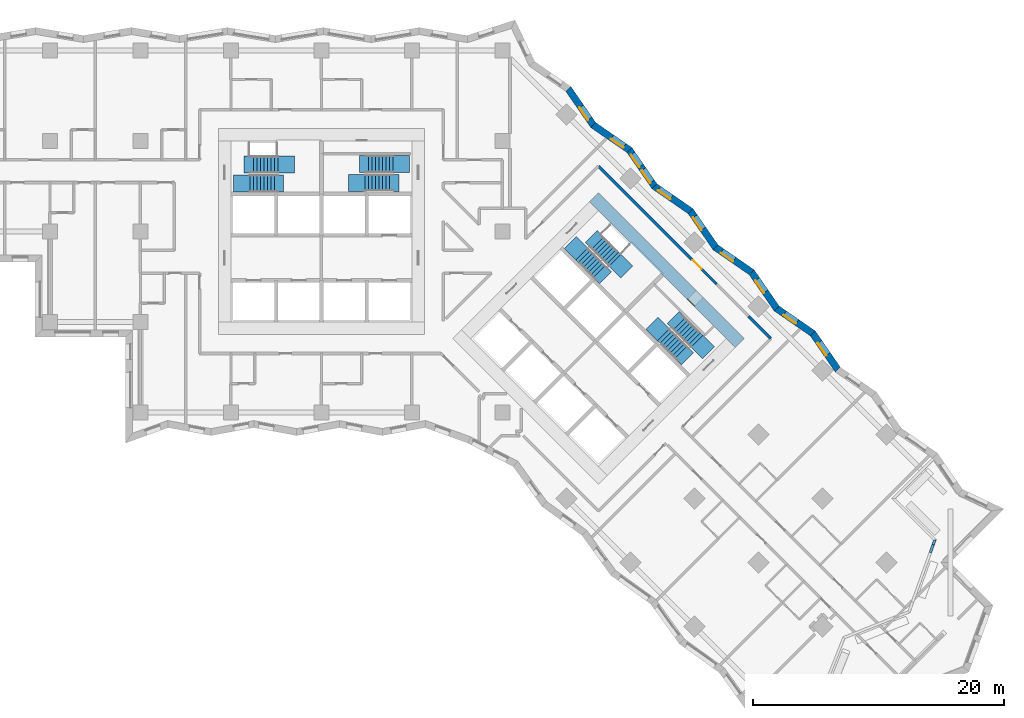
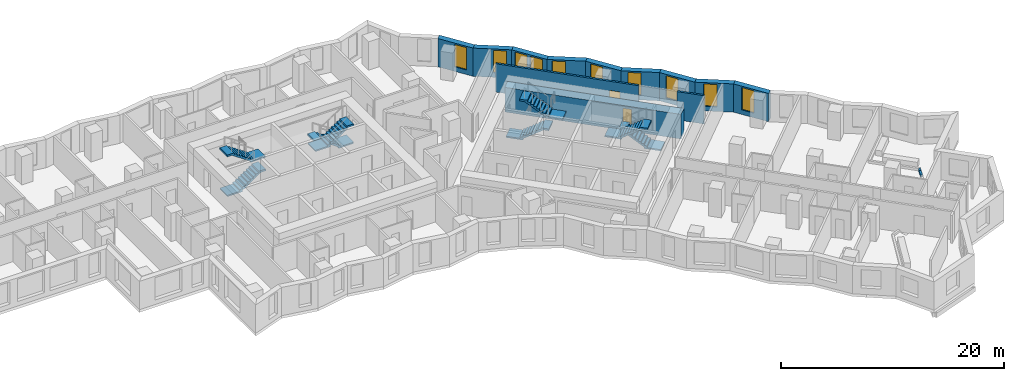
# One storey, part 10 of 13: 14 walls, 10 windows, 8 stair flights, 2 doors, 12 openings, 4 elements without a shape of their own.
"""IFC4 building model written with IfcOpenShell, lengths in metres."""

import ifcopenshell
import ifcopenshell.guid

model = None  # the IFC model being written
_history = None  # IfcOwnerHistory: only IFC2X3 demands one
_inside = {}  # id of a spatial element -> (the spatial element, [elements in it])
_under = {}  # id of a project, library or spatial element -> (it, [spatial elements below it])
_declared = {}  # id of a project -> (the project, [libraries it declares])
_typed = {}  # id of a type object -> (the type object, [elements of that type])
_made_of = {}  # id of a material, layer set ... -> (it, [elements and type objects made of it])


def new_model(schema):
    """Start an empty IFC model of exactly this schema.

    Asked for "IFC4X3", IfcOpenShell would pick the latest addendum, in which some entities
    have other attributes; the version numbers below select the first issue.
    IFC2X3 requires an IfcOwnerHistory on every rooted entity: one is made here for all.
    """
    global model, _history
    if schema == "IFC4X3":
        model = ifcopenshell.file(schema_version=(4, 3, 0, 0))
    else:
        model = ifcopenshell.file(schema=schema)
    _inside.clear()
    _under.clear()
    _declared.clear()
    _typed.clear()
    _made_of.clear()
    _history = None
    if model.schema == "IFC2X3":
        org = make("IfcOrganization", Name="unknown")
        user = make(
            "IfcPersonAndOrganization",
            ThePerson=make("IfcPerson", FamilyName="unknown"),
            TheOrganization=org,
        )
        app = make(
            "IfcApplication",
            ApplicationDeveloper=org,
            Version="unknown",
            ApplicationFullName="unknown",
            ApplicationIdentifier="unknown",
        )
        _history = make(
            "IfcOwnerHistory",
            OwningUser=user,
            OwningApplication=app,
            ChangeAction="ADDED",
            CreationDate=0,
        )
    return model


def make(cls, **values):
    """One entity of the class cls with the attributes given. An attribute that is None is left unset."""
    return model.create_entity(
        cls, **{name: value for name, value in values.items() if value is not None}
    )


def rooted(cls, **values):
    """An entity with a GlobalId (a new one), such as an element, a storey or a relation."""
    return make(cls, GlobalId=ifcopenshell.guid.new(), OwnerHistory=_history, **values)


def si_unit(unit_type, name, prefix=None):
    """IfcSIUnit, for example si_unit("LENGTHUNIT", "METRE", prefix="MILLI")."""
    return make("IfcSIUnit", UnitType=unit_type, Prefix=prefix, Name=name)


def assignment(units):
    """IfcUnitAssignment: the units of a project."""
    return None if units is None else make("IfcUnitAssignment", Units=units)


def point(xyz):
    """IfcCartesianPoint."""
    return None if xyz is None else make("IfcCartesianPoint", Coordinates=xyz)


def direction(xyz):
    """IfcDirection."""
    return None if xyz is None else make("IfcDirection", DirectionRatios=xyz)


def frame(location, z_axis=None, x_axis=None):
    """IfcAxis2Placement3D, a coordinate frame: its origin and axes. An axis left out is left unset."""
    return make(
        "IfcAxis2Placement3D",
        Location=point(location),
        Axis=direction(z_axis),
        RefDirection=direction(x_axis),
    )


def frame_2d(location, x_axis=None):
    """IfcAxis2Placement2D, a coordinate frame in the plane: its origin and x axis."""
    return make(
        "IfcAxis2Placement2D", Location=point(location), RefDirection=direction(x_axis)
    )


def origin():
    """The frame at (0, 0, 0) with its axes left unset."""
    return frame((0.0, 0.0, 0.0))


def place(relative_to, where):
    """IfcLocalPlacement: puts the frame where relative to a parent placement (None: the world)."""
    return make(
        "IfcLocalPlacement", PlacementRelTo=relative_to, RelativePlacement=where
    )


def context(
    kind, dimensions, precision=None, world=None, true_north=None, identifier=None
):
    """IfcGeometricRepresentationContext, for example the 3D "Model" context."""
    return make(
        "IfcGeometricRepresentationContext",
        ContextIdentifier=identifier,
        ContextType=kind,
        CoordinateSpaceDimension=dimensions,
        Precision=precision,
        WorldCoordinateSystem=world,
        TrueNorth=true_north,
    )


def subcontext(parent, identifier, kind, view, scale=None):
    """IfcGeometricRepresentationSubContext, for example "Body" below "Model"."""
    return make(
        "IfcGeometricRepresentationSubContext",
        ContextIdentifier=identifier,
        ContextType=kind,
        ParentContext=parent,
        TargetScale=scale,
        TargetView=view,
    )


def project(units=None, contexts=None):
    """IfcProject with its units and contexts."""
    return rooted(
        "IfcProject",
        Name="project",
        RepresentationContexts=contexts,
        UnitsInContext=assignment(units),
    )


def spatial(cls, under=None, at=None, **own):
    """A site, building, storey or space (cls), placed at a placement, below another one or the project."""
    s = rooted(cls, ObjectPlacement=at, **own)
    if under is not None:
        _under.setdefault(under.id(), (under, []))[1].append(s)
    return s


def polyline(points):
    """IfcPolyline through the points."""
    return make("IfcPolyline", Points=[point(p) for p in points])


def profile(cls, at=None, kind="AREA", **sizes):
    """A parametric profile (cls). Its sizes go by their IFC names, for example OverallWidth=200.0."""
    return make(cls, ProfileType=kind, Position=at, **sizes)


def rectangle(**sizes):
    """IfcRectangleProfileDef."""
    return profile("IfcRectangleProfileDef", **sizes)


def outline(outer, holes=None, kind="AREA"):
    """IfcArbitraryClosedProfileDef: a profile drawn as a closed curve; with holes, ...WithVoids."""
    if holes is None:
        return make("IfcArbitraryClosedProfileDef", ProfileType=kind, OuterCurve=outer)
    return make(
        "IfcArbitraryProfileDefWithVoids",
        ProfileType=kind,
        OuterCurve=outer,
        InnerCurves=holes,
    )


def extrude(swept, where, along, depth):
    """IfcExtrudedAreaSolid: the profile swept, set in the frame where, extruded along a direction by depth."""
    return make(
        "IfcExtrudedAreaSolid",
        SweptArea=swept,
        Position=where,
        ExtrudedDirection=direction(along),
        Depth=depth,
    )


def shape(context_of_items, identifier, shape_type, items):
    """IfcShapeRepresentation: the items that make up one representation, for example the "Body"."""
    return make(
        "IfcShapeRepresentation",
        ContextOfItems=context_of_items,
        RepresentationIdentifier=identifier,
        RepresentationType=shape_type,
        Items=items,
    )


def material(Name=None, Category=None):
    """IfcMaterial."""
    return make("IfcMaterial", Name=Name, Category=Category)


def layer(
    of_material, thickness, ventilated=None, Name=None, Category=None, Priority=None
):
    """IfcMaterialLayer: one layer of a wall or slab, of a material (None: an air gap)."""
    return make(
        "IfcMaterialLayer",
        Material=of_material,
        LayerThickness=thickness,
        IsVentilated=ventilated,
        Name=Name,
        Category=Category,
        Priority=Priority,
    )


def layer_set(layers, Name=None):
    """IfcMaterialLayerSet."""
    return make("IfcMaterialLayerSet", MaterialLayers=layers, LayerSetName=Name)


def made_of(thing, what):
    """Note that an element or type object is made of a material, layer set ...; save() writes the relation."""
    if what is not None:
        _made_of.setdefault(what.id(), (what, []))[1].append(thing)
    return thing


def type_object(cls, material=None, **own):
    """A type object (cls), such as IfcWallType, which elements share."""
    return made_of(rooted(cls, **own), material)


def element(
    cls,
    number,
    at=None,
    inside=None,
    cuts=None,
    type_object=None,
    material=None,
    context=None,
    identifier="Body",
    shape_type=None,
    held_by="IfcProductDefinitionShape",
    body=None,
    shapes=None,
    **own,
):
    """One element of the class cls, such as IfcWall. Its Tag is "e" and its number.

    at: its placement. inside: the storey or other place that contains it. cuts: it is an
    opening in that element (IfcRelVoidsElement). A single representation is given by context,
    identifier, shape_type and body (its items); several are given by shapes. held_by: the class
    of the entity that holds the representations. save() writes the other relations.
    """
    e = rooted(cls, Tag="e%d" % number, ObjectPlacement=at, **own)
    if body is not None:
        shapes = [shape(context, identifier, shape_type, body)]
    if shapes is not None:
        e.Representation = make(held_by, Representations=shapes)
    if inside is not None:
        _inside.setdefault(inside.id(), (inside, []))[1].append(e)
    if cuts is not None:
        rooted(
            "IfcRelVoidsElement", RelatingBuildingElement=cuts, RelatedOpeningElement=e
        )
    if type_object is not None:
        _typed.setdefault(type_object.id(), (type_object, []))[1].append(e)
    return made_of(e, material)


def fill(opening, filler):
    """IfcRelFillsElement: the door or window that sits in an opening."""
    return rooted(
        "IfcRelFillsElement",
        RelatingOpeningElement=opening,
        RelatedBuildingElement=filler,
    )


def aggregate(whole, parts):
    """IfcRelAggregates: a whole, such as a stair, and the parts it consists of."""
    return rooted("IfcRelAggregates", RelatingObject=whole, RelatedObjects=parts)


def save(model, path):
    """Write the relations noted so far, then the file.

    IfcRelAggregates (storeys below a building ...), IfcRelContainedInSpatialStructure (elements
    in a storey), IfcRelDefinesByType, IfcRelAssociatesMaterial and IfcRelDeclares: one each for
    every whole, place, type object, material and project.
    """
    for whole, parts in _under.values():
        aggregate(whole, parts)
    for where, things in _inside.values():
        rooted(
            "IfcRelContainedInSpatialStructure",
            RelatedElements=things,
            RelatingStructure=where,
        )
    for kind, things in _typed.values():
        rooted("IfcRelDefinesByType", RelatedObjects=things, RelatingType=kind)
    for what, things in _made_of.values():
        rooted("IfcRelAssociatesMaterial", RelatedObjects=things, RelatingMaterial=what)
    for by, libraries in _declared.values():
        rooted("IfcRelDeclares", RelatingContext=by, RelatedDefinitions=libraries)
    model.write(path)


model = new_model("IFC4")

# Units and contexts
model_context = context("Model", 3, precision=1e-05, world=origin(), true_north=direction((0.0, 1.0)))
body_context = subcontext(model_context, "Body", "Model", "MODEL_VIEW")
ifc_project = project(units=[si_unit("LENGTHUNIT", "METRE"), si_unit("AREAUNIT", "SQUARE_METRE"), si_unit("VOLUMEUNIT", "CUBIC_METRE"), si_unit("PLANEANGLEUNIT", "RADIAN"), si_unit("MASSUNIT", "GRAM", prefix="KILO")], contexts=[model_context])

# Site, building, storey
site_placement = place(None, origin())
site = spatial("IfcSite", under=ifc_project, at=site_placement, CompositionType="ELEMENT")
building_placement = place(site_placement, origin())
building = spatial("IfcBuilding", under=site, at=building_placement, Name="Windrow Commons", CompositionType="ELEMENT")
storey_placement = place(building_placement, frame((0.0, 0.0, 64.4)))
storey = spatial("IfcBuildingStorey", under=building, at=storey_placement, Name="L17", CompositionType="ELEMENT", Elevation=64.4)

# Wall, opening, window
ifc_material_1 = material(Name="Brick masonry, red clay brick", Category="masonry")
ifc_layer_1 = layer(ifc_material_1, 0.55)
ifc_layer_set_1 = layer_set([ifc_layer_1], Name="Brick facade wall 550")
wall_type_1 = type_object("IfcWallType", Name="Brick facade wall 550", PredefinedType="SOLIDWALL", material=ifc_layer_set_1)
wall_1_placement = place(storey_placement, frame((105.8788, 46.6229, 0.0), z_axis=(0.0, 0.0, 1.0), x_axis=(-0.5680698592, 0.822980337, 0.0)))
wall_1 = element("IfcWall", 1, at=wall_1_placement, inside=storey, type_object=wall_type_1, Name="Brick facade wall L17 12", PredefinedType="SOLIDWALL", context=body_context, shape_type="SweptSolid", body=[
    extrude(outline(polyline([(0.0504, -0.275), (3.5458, -0.275), (3.445, 0.275), (-0.0504, 0.275), (0.0504, -0.275)])), origin(), (0.0, 0.0, 1.0), 3.1),
])
opening_1_placement = place(wall_1_placement, frame((1.4338, 0.0, 0.5)))
opening_1 = element("IfcOpeningElement", 2, at=opening_1_placement, cuts=wall_1, Name="Opening W7D", PredefinedType="OPENING", context=body_context, shape_type="SweptSolid", body=[
    extrude(rectangle(XDim=1.2, YDim=2.45, at=frame_2d((0.6, 1.225))), frame((0.0, 0.285, 0.0), z_axis=(0.0, -1.0, 0.0), x_axis=(1.0, 0.0, 0.0)), (0.0, 0.0, 1.0), 0.57),
])
ifc_material_2 = material(Name="Clear float glass in anodised aluminium frame", Category="aluminium")
window_type = type_object("IfcWindowType", Name="Window W7 notch 1200x2450", PartitioningType="SINGLE_PANEL", PredefinedType="WINDOW", material=ifc_material_2)
window_1_placement = place(opening_1_placement, origin())
window_1 = element("IfcWindow", 3, at=window_1_placement, inside=storey, type_object=window_type, Name="Window L17 12.1", OverallHeight=2.45, OverallWidth=1.2, PartitioningType="SINGLE_PANEL", PredefinedType="WINDOW", context=body_context, shape_type="SweptSolid", body=[
    extrude(rectangle(XDim=1.2, YDim=2.45, at=frame_2d((0.6, 1.225))), frame((0.0, 0.155, 0.0), z_axis=(0.0, -1.0, 0.0), x_axis=(1.0, 0.0, 0.0)), (0.0, 0.0, 1.0), 0.06),
])
fill(opening_1, window_1)

wall_2_placement = place(storey_placement, frame((103.8932, 49.4995, 0.0), z_axis=(0.0, 0.0, 1.0), x_axis=(-0.8229761943, 0.5680758609, 0.0)))
wall_2 = element("IfcWall", 4, at=wall_2_placement, inside=storey, type_object=wall_type_1, Name="Brick facade wall L17 13", PredefinedType="SOLIDWALL", context=body_context, shape_type="SweptSolid", body=[
    extrude(outline(polyline([(-0.0504, -0.275), (3.445, -0.275), (3.5458, 0.275), (0.0504, 0.275), (-0.0504, -0.275)])), origin(), (0.0, 0.0, 1.0), 3.1),
])
opening_2_placement = place(wall_2_placement, frame((1.5413, 0.0, 0.5)))
opening_2 = element("IfcOpeningElement", 5, at=opening_2_placement, cuts=wall_2, Name="Opening W7D", PredefinedType="OPENING", context=body_context, shape_type="SweptSolid", body=[
    extrude(rectangle(XDim=1.2, YDim=2.45, at=frame_2d((0.6, 1.225))), frame((0.0, 0.285, 0.0), z_axis=(0.0, -1.0, 0.0), x_axis=(1.0, 0.0, 0.0)), (0.0, 0.0, 1.0), 0.57),
])
window_2_placement = place(opening_2_placement, origin())
window_2 = element("IfcWindow", 6, at=window_2_placement, inside=storey, type_object=window_type, Name="Window L17 13.1", OverallHeight=2.45, OverallWidth=1.2, PartitioningType="SINGLE_PANEL", PredefinedType="WINDOW", context=body_context, shape_type="SweptSolid", body=[
    extrude(rectangle(XDim=1.2, YDim=2.45, at=frame_2d((0.6, 1.225))), frame((0.0, 0.155, 0.0), z_axis=(0.0, -1.0, 0.0), x_axis=(1.0, 0.0, 0.0)), (0.0, 0.0, 1.0), 0.06),
])
fill(opening_2, window_2)

wall_3_placement = place(storey_placement, frame((101.0165, 51.4852, 0.0), z_axis=(0.0, 0.0, 1.0), x_axis=(-0.5680892359, 0.8229669617, 0.0)))
wall_3 = element("IfcWall", 7, at=wall_3_placement, inside=storey, type_object=wall_type_1, Name="Brick facade wall L17 14", PredefinedType="SOLIDWALL", context=body_context, shape_type="SweptSolid", body=[
    extrude(outline(polyline([(0.0504, -0.275), (3.5458, -0.275), (3.445, 0.275), (-0.0504, 0.275), (0.0504, -0.275)])), origin(), (0.0, 0.0, 1.0), 3.1),
])
opening_3_placement = place(wall_3_placement, frame((1.5983, 0.0, 0.5)))
opening_3 = element("IfcOpeningElement", 8, at=opening_3_placement, cuts=wall_3, Name="Opening W7D", PredefinedType="OPENING", context=body_context, shape_type="SweptSolid", body=[
    extrude(rectangle(XDim=1.2, YDim=2.45, at=frame_2d((0.6, 1.225))), frame((0.0, 0.285, 0.0), z_axis=(0.0, -1.0, 0.0), x_axis=(1.0, 0.0, 0.0)), (0.0, 0.0, 1.0), 0.57),
])
window_3_placement = place(opening_3_placement, origin())
window_3 = element("IfcWindow", 9, at=window_3_placement, inside=storey, type_object=window_type, Name="Window L17 14.1", OverallHeight=2.45, OverallWidth=1.2, PartitioningType="SINGLE_PANEL", PredefinedType="WINDOW", context=body_context, shape_type="SweptSolid", body=[
    extrude(rectangle(XDim=1.2, YDim=2.45, at=frame_2d((0.6, 1.225))), frame((0.0, 0.155, 0.0), z_axis=(0.0, -1.0, 0.0), x_axis=(1.0, 0.0, 0.0)), (0.0, 0.0, 1.0), 0.06),
])
fill(opening_3, window_3)

wall_4_placement = place(storey_placement, frame((99.0308, 54.3618, 0.0), z_axis=(0.0, 0.0, 1.0), x_axis=(-0.8229669617, 0.5680892359, 0.0)))
wall_4 = element("IfcWall", 10, at=wall_4_placement, inside=storey, type_object=wall_type_1, Name="Brick facade wall L17 15", PredefinedType="SOLIDWALL", context=body_context, shape_type="SweptSolid", body=[
    extrude(outline(polyline([(-0.0504, -0.275), (3.445, -0.275), (3.5458, 0.275), (0.0504, 0.275), (-0.0504, -0.275)])), origin(), (0.0, 0.0, 1.0), 3.1),
])
opening_4_placement = place(wall_4_placement, frame((1.7058, 0.0, 0.5)))
opening_4 = element("IfcOpeningElement", 11, at=opening_4_placement, cuts=wall_4, Name="Opening W7D", PredefinedType="OPENING", context=body_context, shape_type="SweptSolid", body=[
    extrude(rectangle(XDim=1.2, YDim=2.45, at=frame_2d((0.6, 1.225))), frame((0.0, 0.285, 0.0), z_axis=(0.0, -1.0, 0.0), x_axis=(1.0, 0.0, 0.0)), (0.0, 0.0, 1.0), 0.57),
])
window_4_placement = place(opening_4_placement, origin())
window_4 = element("IfcWindow", 12, at=window_4_placement, inside=storey, type_object=window_type, Name="Window L17 15.1", OverallHeight=2.45, OverallWidth=1.2, PartitioningType="SINGLE_PANEL", PredefinedType="WINDOW", context=body_context, shape_type="SweptSolid", body=[
    extrude(rectangle(XDim=1.2, YDim=2.45, at=frame_2d((0.6, 1.225))), frame((0.0, 0.155, 0.0), z_axis=(0.0, -1.0, 0.0), x_axis=(1.0, 0.0, 0.0)), (0.0, 0.0, 1.0), 0.06),
])
fill(opening_4, window_4)

wall_5_placement = place(storey_placement, frame((96.1542, 56.3475, 0.0), z_axis=(0.0, 0.0, 1.0), x_axis=(-0.5680892359, 0.8229669617, 0.0)))
wall_5 = element("IfcWall", 13, at=wall_5_placement, inside=storey, type_object=wall_type_1, Name="Brick facade wall L17 16", PredefinedType="SOLIDWALL", context=body_context, shape_type="SweptSolid", body=[
    extrude(outline(polyline([(0.0504, -0.275), (3.5458, -0.275), (3.445, 0.275), (-0.0504, 0.275), (0.0504, -0.275)])), origin(), (0.0, 0.0, 1.0), 3.1),
])
opening_5_placement = place(wall_5_placement, frame((1.7629, 0.0, 0.5)))
opening_5 = element("IfcOpeningElement", 14, at=opening_5_placement, cuts=wall_5, Name="Opening W7D", PredefinedType="OPENING", context=body_context, shape_type="SweptSolid", body=[
    extrude(rectangle(XDim=1.2, YDim=2.45, at=frame_2d((0.6, 1.225))), frame((0.0, 0.285, 0.0), z_axis=(0.0, -1.0, 0.0), x_axis=(1.0, 0.0, 0.0)), (0.0, 0.0, 1.0), 0.57),
])
window_5_placement = place(opening_5_placement, origin())
window_5 = element("IfcWindow", 15, at=window_5_placement, inside=storey, type_object=window_type, Name="Window L17 16.1", OverallHeight=2.45, OverallWidth=1.2, PartitioningType="SINGLE_PANEL", PredefinedType="WINDOW", context=body_context, shape_type="SweptSolid", body=[
    extrude(rectangle(XDim=1.2, YDim=2.45, at=frame_2d((0.6, 1.225))), frame((0.0, 0.155, 0.0), z_axis=(0.0, -1.0, 0.0), x_axis=(1.0, 0.0, 0.0)), (0.0, 0.0, 1.0), 0.06),
])
fill(opening_5, window_5)

wall_6_placement = place(storey_placement, frame((94.1685, 59.2241, 0.0), z_axis=(0.0, 0.0, 1.0), x_axis=(-0.8229669617, 0.5680892359, 0.0)))
wall_6 = element("IfcWall", 16, at=wall_6_placement, inside=storey, type_object=wall_type_1, Name="Brick facade wall L17 17", PredefinedType="SOLIDWALL", context=body_context, shape_type="SweptSolid", body=[
    extrude(outline(polyline([(-0.0504, -0.275), (3.445, -0.275), (3.5458, 0.275), (0.0504, 0.275), (-0.0504, -0.275)])), origin(), (0.0, 0.0, 1.0), 3.1),
])
opening_6_placement = place(wall_6_placement, frame((1.8703, 0.0, 0.5)))
opening_6 = element("IfcOpeningElement", 17, at=opening_6_placement, cuts=wall_6, Name="Opening W7D", PredefinedType="OPENING", context=body_context, shape_type="SweptSolid", body=[
    extrude(rectangle(XDim=1.2, YDim=2.45, at=frame_2d((0.6, 1.225))), frame((0.0, 0.285, 0.0), z_axis=(0.0, -1.0, 0.0), x_axis=(1.0, 0.0, 0.0)), (0.0, 0.0, 1.0), 0.57),
])
window_6_placement = place(opening_6_placement, origin())
window_6 = element("IfcWindow", 18, at=window_6_placement, inside=storey, type_object=window_type, Name="Window L17 17.1", OverallHeight=2.45, OverallWidth=1.2, PartitioningType="SINGLE_PANEL", PredefinedType="WINDOW", context=body_context, shape_type="SweptSolid", body=[
    extrude(rectangle(XDim=1.2, YDim=2.45, at=frame_2d((0.6, 1.225))), frame((0.0, 0.155, 0.0), z_axis=(0.0, -1.0, 0.0), x_axis=(1.0, 0.0, 0.0)), (0.0, 0.0, 1.0), 0.06),
])
fill(opening_6, window_6)

# Wall, openings, windows
wall_7_placement = place(storey_placement, frame((91.2919, 61.2098, 0.0), z_axis=(0.0, 0.0, 1.0), x_axis=(-0.5680892359, 0.8229669617, 0.0)))
wall_7 = element("IfcWall", 19, at=wall_7_placement, inside=storey, type_object=wall_type_1, Name="Brick facade wall L17 18", PredefinedType="SOLIDWALL", context=body_context, shape_type="SweptSolid", body=[
    extrude(outline(polyline([(0.0504, -0.275), (3.5458, -0.275), (3.445, 0.275), (-0.0504, 0.275), (0.0504, -0.275)])), origin(), (0.0, 0.0, 1.0), 3.1),
])
opening_7_placement = place(wall_7_placement, frame((0.4049, 0.0, 0.5)))
opening_7 = element("IfcOpeningElement", 20, at=opening_7_placement, cuts=wall_7, Name="Opening W7D", PredefinedType="OPENING", context=body_context, shape_type="SweptSolid", body=[
    extrude(rectangle(XDim=1.2, YDim=2.45, at=frame_2d((0.6, 1.225))), frame((0.0, 0.285, 0.0), z_axis=(0.0, -1.0, 0.0), x_axis=(1.0, 0.0, 0.0)), (0.0, 0.0, 1.0), 0.57),
])
opening_8_placement = place(wall_7_placement, frame((1.9274, 0.0, 0.5)))
opening_8 = element("IfcOpeningElement", 21, at=opening_8_placement, cuts=wall_7, Name="Opening W7D", PredefinedType="OPENING", context=body_context, shape_type="SweptSolid", body=[
    extrude(rectangle(XDim=1.2, YDim=2.45, at=frame_2d((0.6, 1.225))), frame((0.0, 0.285, 0.0), z_axis=(0.0, -1.0, 0.0), x_axis=(1.0, 0.0, 0.0)), (0.0, 0.0, 1.0), 0.57),
])
window_7_placement = place(opening_7_placement, origin())
window_7 = element("IfcWindow", 22, at=window_7_placement, inside=storey, type_object=window_type, Name="Window L17 18.1", OverallHeight=2.45, OverallWidth=1.2, PartitioningType="SINGLE_PANEL", PredefinedType="WINDOW", context=body_context, shape_type="SweptSolid", body=[
    extrude(rectangle(XDim=1.2, YDim=2.45, at=frame_2d((0.6, 1.225))), frame((0.0, 0.155, 0.0), z_axis=(0.0, -1.0, 0.0), x_axis=(1.0, 0.0, 0.0)), (0.0, 0.0, 1.0), 0.06),
])
fill(opening_7, window_7)
window_8_placement = place(opening_8_placement, origin())
window_8 = element("IfcWindow", 23, at=window_8_placement, inside=storey, type_object=window_type, Name="Window L17 18.2", OverallHeight=2.45, OverallWidth=1.2, PartitioningType="SINGLE_PANEL", PredefinedType="WINDOW", context=body_context, shape_type="SweptSolid", body=[
    extrude(rectangle(XDim=1.2, YDim=2.45, at=frame_2d((0.6, 1.225))), frame((0.0, 0.155, 0.0), z_axis=(0.0, -1.0, 0.0), x_axis=(1.0, 0.0, 0.0)), (0.0, 0.0, 1.0), 0.06),
])
fill(opening_8, window_8)

# Wall, opening, window
wall_8_placement = place(storey_placement, frame((89.3062, 64.0864, 0.0), z_axis=(0.0, 0.0, 1.0), x_axis=(-0.8229669617, 0.5680892359, 0.0)))
wall_8 = element("IfcWall", 24, at=wall_8_placement, inside=storey, type_object=wall_type_1, Name="Brick facade wall L17 19", PredefinedType="SOLIDWALL", context=body_context, shape_type="SweptSolid", body=[
    extrude(outline(polyline([(-0.0504, -0.275), (3.445, -0.275), (3.5458, 0.275), (0.0504, 0.275), (-0.0504, -0.275)])), origin(), (0.0, 0.0, 1.0), 3.1),
])
opening_9_placement = place(wall_8_placement, frame((0.5123, 0.0, 0.5)))
opening_9 = element("IfcOpeningElement", 25, at=opening_9_placement, cuts=wall_8, Name="Opening W7D", PredefinedType="OPENING", context=body_context, shape_type="SweptSolid", body=[
    extrude(rectangle(XDim=1.2, YDim=2.45, at=frame_2d((0.6, 1.225))), frame((0.0, 0.285, 0.0), z_axis=(0.0, -1.0, 0.0), x_axis=(1.0, 0.0, 0.0)), (0.0, 0.0, 1.0), 0.57),
])
window_9_placement = place(opening_9_placement, origin())
window_9 = element("IfcWindow", 26, at=window_9_placement, inside=storey, type_object=window_type, Name="Window L17 19.1", OverallHeight=2.45, OverallWidth=1.2, PartitioningType="SINGLE_PANEL", PredefinedType="WINDOW", context=body_context, shape_type="SweptSolid", body=[
    extrude(rectangle(XDim=1.2, YDim=2.45, at=frame_2d((0.6, 1.225))), frame((0.0, 0.155, 0.0), z_axis=(0.0, -1.0, 0.0), x_axis=(1.0, 0.0, 0.0)), (0.0, 0.0, 1.0), 0.06),
])
fill(opening_9, window_9)

wall_9_placement = place(storey_placement, frame((86.4296, 66.0721, 0.0), z_axis=(0.0, 0.0, 1.0), x_axis=(-0.5680892359, 0.8229669617, 0.0)))
wall_9 = element("IfcWall", 27, at=wall_9_placement, inside=storey, type_object=wall_type_1, Name="Brick facade wall L17 20", PredefinedType="SOLIDWALL", context=body_context, shape_type="SweptSolid", body=[
    extrude(outline(polyline([(0.0504, -0.275), (3.5458, -0.275), (3.445, 0.275), (-0.0504, 0.275), (0.0504, -0.275)])), origin(), (0.0, 0.0, 1.0), 3.1),
])
opening_10_placement = place(wall_9_placement, frame((0.5694, 0.0, 0.5)))
opening_10 = element("IfcOpeningElement", 28, at=opening_10_placement, cuts=wall_9, Name="Opening W7D", PredefinedType="OPENING", context=body_context, shape_type="SweptSolid", body=[
    extrude(rectangle(XDim=1.2, YDim=2.45, at=frame_2d((0.6, 1.225))), frame((0.0, 0.285, 0.0), z_axis=(0.0, -1.0, 0.0), x_axis=(1.0, 0.0, 0.0)), (0.0, 0.0, 1.0), 0.57),
])
window_10_placement = place(opening_10_placement, origin())
window_10 = element("IfcWindow", 29, at=window_10_placement, inside=storey, type_object=window_type, Name="Window L17 20.1", OverallHeight=2.45, OverallWidth=1.2, PartitioningType="SINGLE_PANEL", PredefinedType="WINDOW", context=body_context, shape_type="SweptSolid", body=[
    extrude(rectangle(XDim=1.2, YDim=2.45, at=frame_2d((0.6, 1.225))), frame((0.0, 0.155, 0.0), z_axis=(0.0, -1.0, 0.0), x_axis=(1.0, 0.0, 0.0)), (0.0, 0.0, 1.0), 0.06),
])
fill(opening_10, window_10)

# Wall, opening, door
ifc_material_3 = material(Name="Blockwork partition", Category="masonry")
ifc_layer_2 = layer(ifc_material_3, 0.2)
ifc_layer_set_2 = layer_set([ifc_layer_2], Name="IW-CORRIDOR-200")
wall_type_2 = type_object("IfcWallType", Name="IW-CORRIDOR-200", PredefinedType="PARTITIONING", material=ifc_layer_set_2)
wall_10_placement = place(storey_placement, frame((86.833, 62.805, 0.0), z_axis=(0.0, 0.0, 1.0), x_axis=(0.7072045138, -0.7070090351, 0.0)))
wall_10 = element("IfcWall", 30, at=wall_10_placement, inside=storey, type_object=wall_type_2, Name="W-L17-W004", PredefinedType="PARTITIONING", context=body_context, shape_type="SweptSolid", body=[
    extrude(rectangle(XDim=13.3007, YDim=0.2, at=frame_2d((6.6504, 0.0))), origin(), (0.0, 0.0, 1.0), 3.1),
])
opening_11_placement = place(wall_10_placement, frame((10.5864, 0.0, 0.0)))
opening_11 = element("IfcOpeningElement", 31, at=opening_11_placement, cuts=wall_10, Name="Opening D310F", PredefinedType="OPENING", context=body_context, shape_type="SweptSolid", body=[
    extrude(rectangle(XDim=1.0, YDim=2.1, at=frame_2d((0.5, 1.05))), frame((0.0, 0.11, 0.0), z_axis=(0.0, -1.0, 0.0), x_axis=(1.0, 0.0, 0.0)), (0.0, 0.0, 1.0), 0.22),
])
ifc_material_4 = material(Name="Timber door leaf", Category="wood")
door_type_1 = type_object("IfcDoorType", Name="DT-AMENITY-1000", OperationType="SINGLE_SWING_LEFT", PredefinedType="DOOR", material=ifc_material_4)
door_1_placement = place(opening_11_placement, origin())
door_1 = element("IfcDoor", 32, at=door_1_placement, inside=storey, type_object=door_type_1, Name="D-L17-D037", OperationType="SINGLE_SWING_LEFT", OverallHeight=2.1, OverallWidth=1.0, PredefinedType="DOOR", context=body_context, shape_type="SweptSolid", body=[
    extrude(rectangle(XDim=1.0, YDim=2.1, at=frame_2d((0.5, 1.05))), frame((0.0, 0.025, 0.0), z_axis=(0.0, -1.0, 0.0), x_axis=(1.0, 0.0, 0.0)), (0.0, 0.0, 1.0), 0.05),
])
fill(opening_11, door_1)

# Wall
wall_11_placement = place(storey_placement, frame((98.783, 50.855, 0.0), z_axis=(0.0, 0.0, 1.0), x_axis=(0.7071067812, -0.7071067812, 0.0)))
element("IfcWall", 33, at=wall_11_placement, inside=storey, type_object=wall_type_2, Name="W-L17-W070", PredefinedType="PARTITIONING", context=body_context, shape_type="SweptSolid", body=[
    extrude(rectangle(XDim=2.5003, YDim=0.2, at=frame_2d((1.2502, 0.0))), origin(), (0.0, 0.0, 1.0), 3.1),
])

# Wall, opening, door
ifc_material_5 = material(Name="Concrete C60/75", Category="concrete")
ifc_layer_3 = layer(ifc_material_5, 1.0)
ifc_layer_set_3 = layer_set([ifc_layer_3], Name="RC CORE WALL 1000 C60/75")
wall_type_3 = type_object("IfcWallType", Name="RC CORE WALL 1000 C60/75", PredefinedType="SHEAR", material=ifc_layer_set_3)
wall_12_placement = place(storey_placement, frame((86.4832, 60.3327, -0.3), z_axis=(0.0, 0.0, 1.0), x_axis=(0.70710983, -0.7071037324, 0.0)))
wall_12 = element("IfcWall", 34, at=wall_12_placement, inside=storey, type_object=wall_type_3, Name="Core B wall outer-N", PredefinedType="SHEAR", context=body_context, shape_type="SweptSolid", body=[
    extrude(rectangle(XDim=16.4, YDim=1.0, at=frame_2d((8.2, 0.0))), origin(), (0.0, 0.0, 1.0), 2.7),
])
opening_12_placement = place(wall_12_placement, frame((11.0, 0.0, 0.3)))
opening_12 = element("IfcOpeningElement", 35, at=opening_12_placement, cuts=wall_12, Name="Opening D9", PredefinedType="OPENING", context=body_context, shape_type="SweptSolid", body=[
    extrude(rectangle(XDim=0.8, YDim=2.1, at=frame_2d((0.4, 1.05))), frame((0.0, 0.51, 0.0), z_axis=(0.0, -1.0, 0.0), x_axis=(1.0, 0.0, 0.0)), (0.0, 0.0, 1.0), 1.02),
])
ifc_material_6 = material(Name="Steel fire door leaf", Category="steel")
door_type_2 = type_object("IfcDoorType", Name="Riser access door 800", OperationType="SINGLE_SWING_LEFT", PredefinedType="DOOR", material=ifc_material_6)
door_2_placement = place(opening_12_placement, origin())
door_2 = element("IfcDoor", 36, at=door_2_placement, inside=storey, type_object=door_type_2, Name="Riser access door", OperationType="SINGLE_SWING_RIGHT", OverallHeight=2.1, OverallWidth=0.8, PredefinedType="DOOR", context=body_context, shape_type="SweptSolid", body=[
    extrude(rectangle(XDim=0.8, YDim=2.1, at=frame_2d((0.4, 1.05))), frame((0.0, -0.44, 0.0), z_axis=(0.0, -1.0, 0.0), x_axis=(1.0, 0.0, 0.0)), (0.0, 0.0, 1.0), 0.05),
])
fill(opening_12, door_2)

# Walls
ifc_material_7 = material(Name="Brick masonry, red clay brick", Category="masonry")
ifc_layer_4 = layer(ifc_material_7, 0.2)
ifc_layer_set_4 = layer_set([ifc_layer_4], Name="Terrace edge parapet 200")
wall_type_4 = type_object("IfcWallType", Name="Terrace edge parapet 200", PredefinedType="PARAPET", material=ifc_layer_set_4)
wall_13_placement = place(storey_placement, frame((113.6035, 33.0709, 0.0), z_axis=(0.0, 0.0, 1.0), x_axis=(-0.3390781297, -0.9407582165, 0.0)))
element("IfcWall", 37, at=wall_13_placement, inside=storey, type_object=wall_type_4, Name="Terrace parapet TR-L17-1.1.3", PredefinedType="PARAPET", context=body_context, shape_type="SweptSolid", body=[
    extrude(outline(polyline([(0.0635, -0.1), (0.3949, -0.1), (0.3949, 0.1), (-0.0635, 0.1), (0.0635, -0.1)])), origin(), (0.0, 0.0, 1.0), 0.25),
])
wall_14_placement = place(storey_placement, frame((113.4696, 32.6994, 0.0), z_axis=(0.0, 0.0, 1.0), x_axis=(-0.339246254, -0.9406976024, 0.0)))
element("IfcWall", 38, at=wall_14_placement, inside=storey, type_object=wall_type_4, Name="Terrace parapet TR-L17-1.1.4", PredefinedType="PARAPET", context=body_context, shape_type="SweptSolid", body=[
    extrude(outline(polyline([(0.0, -0.1), (0.6789, -0.1), (0.6789, 0.1), (0.0, 0.1), (0.0, -0.1)])), origin(), (0.0, 0.0, 1.0), 0.25),
])

# Stair, stair flights
ifc_material_8 = material(Name="Concrete C40/50", Category="concrete")
stair_type = type_object("IfcStairType", Name="Core stair", PredefinedType="HALF_TURN_STAIR", material=ifc_material_8)
placement = place(storey_placement, origin())
stair_1 = element("IfcStair", 39, at=placement, inside=storey, type_object=stair_type, Name="L17 Exit stair A1 core A", PredefinedType="HALF_TURN_STAIR")
ifc_material_9 = material(Name="Concrete C40/50", Category="concrete")
stair_flight_type = type_object("IfcStairFlightType", Name="Core stair flight", PredefinedType="STRAIGHT", material=ifc_material_9)
stair_flight_1_placement = place(storey_placement, frame((59.1, 61.425, 0.0), z_axis=(0.0, 0.0, 1.0), x_axis=(1.0, 0.0, 0.0)))
stair_flight_1 = element("IfcStairFlight", 40, at=stair_flight_1_placement, type_object=stair_flight_type, Name="ST-A1 flight 1", NumberOfRisers=9, NumberOfTreads=8, PredefinedType="STRAIGHT", RiserHeight=0.188888889, TreadLength=0.28, context=body_context, shape_type="SweptSolid", body=[
    extrude(outline(polyline([(-1.3, -0.15), (-1.3, 0.0), (0.0, 0.0), (0.0, 0.1889), (0.28, 0.1889), (0.28, 0.3778), (0.56, 0.3778), (0.56, 0.5667), (0.84, 0.5667), (0.84, 0.7556), (1.12, 0.7556), (1.12, 0.9444), (1.4, 0.9444), (1.4, 1.1333), (1.68, 1.1333), (1.68, 1.3222), (1.96, 1.3222), (1.96, 1.5111), (2.24, 1.5111), (2.69, 1.5111), (2.69, 1.3111), (2.24, 1.3111), (2.24, 1.3302), (0.2682, 0.0), (0.2682, -0.15), (-1.3, -0.15)])), frame((0.0, 0.675, 0.0), z_axis=(0.0, -1.0, 0.0), x_axis=(1.0, 0.0, 0.0)), (0.0, 0.0, 1.0), 1.35),
])
stair_flight_2_placement = place(storey_placement, frame((61.34, 62.925, 1.7), z_axis=(0.0, 0.0, 1.0), x_axis=(-1.0, 0.0, 0.0)))
stair_flight_2 = element("IfcStairFlight", 41, at=stair_flight_2_placement, type_object=stair_flight_type, Name="ST-A1 flight 2", NumberOfRisers=9, NumberOfTreads=8, PredefinedType="STRAIGHT", RiserHeight=0.188888889, TreadLength=0.28, context=body_context, shape_type="SweptSolid", body=[
    extrude(outline(polyline([(-1.3, -0.15), (-1.3, 0.0), (0.0, 0.0), (0.0, 0.1889), (0.28, 0.1889), (0.28, 0.3778), (0.56, 0.3778), (0.56, 0.5667), (0.84, 0.5667), (0.84, 0.7556), (1.12, 0.7556), (1.12, 0.9444), (1.4, 0.9444), (1.4, 1.1333), (1.68, 1.1333), (1.68, 1.3222), (1.96, 1.3222), (1.96, 1.5111), (2.24, 1.5111), (2.69, 1.5111), (2.69, 1.3111), (2.24, 1.3111), (2.24, 1.3302), (0.2682, 0.0), (0.2682, -0.15), (-1.3, -0.15)])), frame((0.0, 0.675, 0.0), z_axis=(0.0, -1.0, 0.0), x_axis=(1.0, 0.0, 0.0)), (0.0, 0.0, 1.0), 1.35),
])
aggregate(stair_1, [stair_flight_1, stair_flight_2])

stair_2 = element("IfcStair", 42, at=placement, inside=storey, type_object=stair_type, Name="L17 Exit stair A2 core A", PredefinedType="HALF_TURN_STAIR")
stair_flight_3_placement = place(storey_placement, frame((70.5, 62.98, 0.0), z_axis=(0.0, 0.0, 1.0), x_axis=(-1.0, 0.0, 0.0)))
stair_flight_3 = element("IfcStairFlight", 43, at=stair_flight_3_placement, type_object=stair_flight_type, Name="ST-A2 flight 1", NumberOfRisers=9, NumberOfTreads=8, PredefinedType="STRAIGHT", RiserHeight=0.188888889, TreadLength=0.28, context=body_context, shape_type="SweptSolid", body=[
    extrude(outline(polyline([(-1.3, -0.15), (-1.3, 0.0), (0.0, 0.0), (0.0, 0.1889), (0.28, 0.1889), (0.28, 0.3778), (0.56, 0.3778), (0.56, 0.5667), (0.84, 0.5667), (0.84, 0.7556), (1.12, 0.7556), (1.12, 0.9444), (1.4, 0.9444), (1.4, 1.1333), (1.68, 1.1333), (1.68, 1.3222), (1.96, 1.3222), (1.96, 1.5111), (2.24, 1.5111), (2.69, 1.5111), (2.69, 1.3111), (2.24, 1.3111), (2.24, 1.3302), (0.2682, 0.0), (0.2682, -0.15), (-1.3, -0.15)])), frame((0.0, 0.675, 0.0), z_axis=(0.0, -1.0, 0.0), x_axis=(1.0, 0.0, 0.0)), (0.0, 0.0, 1.0), 1.35),
])
stair_flight_4_placement = place(storey_placement, frame((68.26, 61.48, 1.7), z_axis=(0.0, 0.0, 1.0), x_axis=(1.0, 0.0, 0.0)))
stair_flight_4 = element("IfcStairFlight", 44, at=stair_flight_4_placement, type_object=stair_flight_type, Name="ST-A2 flight 2", NumberOfRisers=9, NumberOfTreads=8, PredefinedType="STRAIGHT", RiserHeight=0.188888889, TreadLength=0.28, context=body_context, shape_type="SweptSolid", body=[
    extrude(outline(polyline([(-1.3, -0.15), (-1.3, 0.0), (0.0, 0.0), (0.0, 0.1889), (0.28, 0.1889), (0.28, 0.3778), (0.56, 0.3778), (0.56, 0.5667), (0.84, 0.5667), (0.84, 0.7556), (1.12, 0.7556), (1.12, 0.9444), (1.4, 0.9444), (1.4, 1.1333), (1.68, 1.1333), (1.68, 1.3222), (1.96, 1.3222), (1.96, 1.5111), (2.24, 1.5111), (2.69, 1.5111), (2.69, 1.3111), (2.24, 1.3111), (2.24, 1.3302), (0.2682, 0.0), (0.2682, -0.15), (-1.3, -0.15)])), frame((0.0, 0.675, 0.0), z_axis=(0.0, -1.0, 0.0), x_axis=(1.0, 0.0, 0.0)), (0.0, 0.0, 1.0), 1.35),
])
aggregate(stair_2, [stair_flight_3, stair_flight_4])

stair_3 = element("IfcStair", 45, at=placement, inside=storey, type_object=stair_type, Name="L17 Exit stair B1 core B", PredefinedType="HALF_TURN_STAIR")
stair_flight_5_placement = place(storey_placement, frame((85.5109, 55.8249, 0.0), z_axis=(0.0, 0.0, 1.0), x_axis=(0.7071067812, -0.7071067812, 0.0)))
stair_flight_5 = element("IfcStairFlight", 46, at=stair_flight_5_placement, type_object=stair_flight_type, Name="ST-B1 flight 1", NumberOfRisers=9, NumberOfTreads=8, PredefinedType="STRAIGHT", RiserHeight=0.188888889, TreadLength=0.28, context=body_context, shape_type="SweptSolid", body=[
    extrude(outline(polyline([(-1.3, -0.15), (-1.3, 0.0), (0.0, 0.0), (0.0, 0.1889), (0.28, 0.1889), (0.28, 0.3778), (0.56, 0.3778), (0.56, 0.5667), (0.84, 0.5667), (0.84, 0.7556), (1.12, 0.7556), (1.12, 0.9444), (1.4, 0.9444), (1.4, 1.1333), (1.68, 1.1333), (1.68, 1.3222), (1.96, 1.3222), (1.96, 1.5111), (2.24, 1.5111), (2.69, 1.5111), (2.69, 1.3111), (2.24, 1.3111), (2.24, 1.3302), (0.2682, 0.0), (0.2682, -0.15), (-1.3, -0.15)])), frame((0.0, 0.675, 0.0), z_axis=(0.0, -1.0, 0.0), x_axis=(1.0, 0.0, 0.0)), (0.0, 0.0, 1.0), 1.35),
])
stair_flight_6_placement = place(storey_placement, frame((88.1555, 55.3017, 1.7), z_axis=(0.0, 0.0, 1.0), x_axis=(-0.7071067812, 0.7071067812, 0.0)))
stair_flight_6 = element("IfcStairFlight", 47, at=stair_flight_6_placement, type_object=stair_flight_type, Name="ST-B1 flight 2", NumberOfRisers=9, NumberOfTreads=8, PredefinedType="STRAIGHT", RiserHeight=0.188888889, TreadLength=0.28, context=body_context, shape_type="SweptSolid", body=[
    extrude(outline(polyline([(-1.3, -0.15), (-1.3, 0.0), (0.0, 0.0), (0.0, 0.1889), (0.28, 0.1889), (0.28, 0.3778), (0.56, 0.3778), (0.56, 0.5667), (0.84, 0.5667), (0.84, 0.7556), (1.12, 0.7556), (1.12, 0.9444), (1.4, 0.9444), (1.4, 1.1333), (1.68, 1.1333), (1.68, 1.3222), (1.96, 1.3222), (1.96, 1.5111), (2.24, 1.5111), (2.69, 1.5111), (2.69, 1.3111), (2.24, 1.3111), (2.24, 1.3302), (0.2682, 0.0), (0.2682, -0.15), (-1.3, -0.15)])), frame((0.0, 0.675, 0.0), z_axis=(0.0, -1.0, 0.0), x_axis=(1.0, 0.0, 0.0)), (0.0, 0.0, 1.0), 1.35),
])
aggregate(stair_3, [stair_flight_5, stair_flight_6])

stair_4 = element("IfcStair", 48, at=placement, inside=storey, type_object=stair_type, Name="L17 Exit stair B2 core B", PredefinedType="HALF_TURN_STAIR")
stair_flight_7_placement = place(storey_placement, frame((94.6715, 48.8635, 0.0), z_axis=(0.0, 0.0, 1.0), x_axis=(-0.7071067812, 0.7071067812, 0.0)))
stair_flight_7 = element("IfcStairFlight", 49, at=stair_flight_7_placement, type_object=stair_flight_type, Name="ST-B2 flight 1", NumberOfRisers=9, NumberOfTreads=8, PredefinedType="STRAIGHT", RiserHeight=0.188888889, TreadLength=0.28, context=body_context, shape_type="SweptSolid", body=[
    extrude(outline(polyline([(-1.3, -0.15), (-1.3, 0.0), (0.0, 0.0), (0.0, 0.1889), (0.28, 0.1889), (0.28, 0.3778), (0.56, 0.3778), (0.56, 0.5667), (0.84, 0.5667), (0.84, 0.7556), (1.12, 0.7556), (1.12, 0.9444), (1.4, 0.9444), (1.4, 1.1333), (1.68, 1.1333), (1.68, 1.3222), (1.96, 1.3222), (1.96, 1.5111), (2.24, 1.5111), (2.69, 1.5111), (2.69, 1.3111), (2.24, 1.3111), (2.24, 1.3302), (0.2682, 0.0), (0.2682, -0.15), (-1.3, -0.15)])), frame((0.0, 0.675, 0.0), z_axis=(0.0, -1.0, 0.0), x_axis=(1.0, 0.0, 0.0)), (0.0, 0.0, 1.0), 1.35),
])
stair_flight_8_placement = place(storey_placement, frame((92.0269, 49.3867, 1.7), z_axis=(0.0, 0.0, 1.0), x_axis=(0.7071067812, -0.7071067812, 0.0)))
stair_flight_8 = element("IfcStairFlight", 50, at=stair_flight_8_placement, type_object=stair_flight_type, Name="ST-B2 flight 2", NumberOfRisers=9, NumberOfTreads=8, PredefinedType="STRAIGHT", RiserHeight=0.188888889, TreadLength=0.28, context=body_context, shape_type="SweptSolid", body=[
    extrude(outline(polyline([(-1.3, -0.15), (-1.3, 0.0), (0.0, 0.0), (0.0, 0.1889), (0.28, 0.1889), (0.28, 0.3778), (0.56, 0.3778), (0.56, 0.5667), (0.84, 0.5667), (0.84, 0.7556), (1.12, 0.7556), (1.12, 0.9444), (1.4, 0.9444), (1.4, 1.1333), (1.68, 1.1333), (1.68, 1.3222), (1.96, 1.3222), (1.96, 1.5111), (2.24, 1.5111), (2.69, 1.5111), (2.69, 1.3111), (2.24, 1.3111), (2.24, 1.3302), (0.2682, 0.0), (0.2682, -0.15), (-1.3, -0.15)])), frame((0.0, 0.675, 0.0), z_axis=(0.0, -1.0, 0.0), x_axis=(1.0, 0.0, 0.0)), (0.0, 0.0, 1.0), 1.35),
])
aggregate(stair_4, [stair_flight_7, stair_flight_8])

save(model, "model.ifc")
